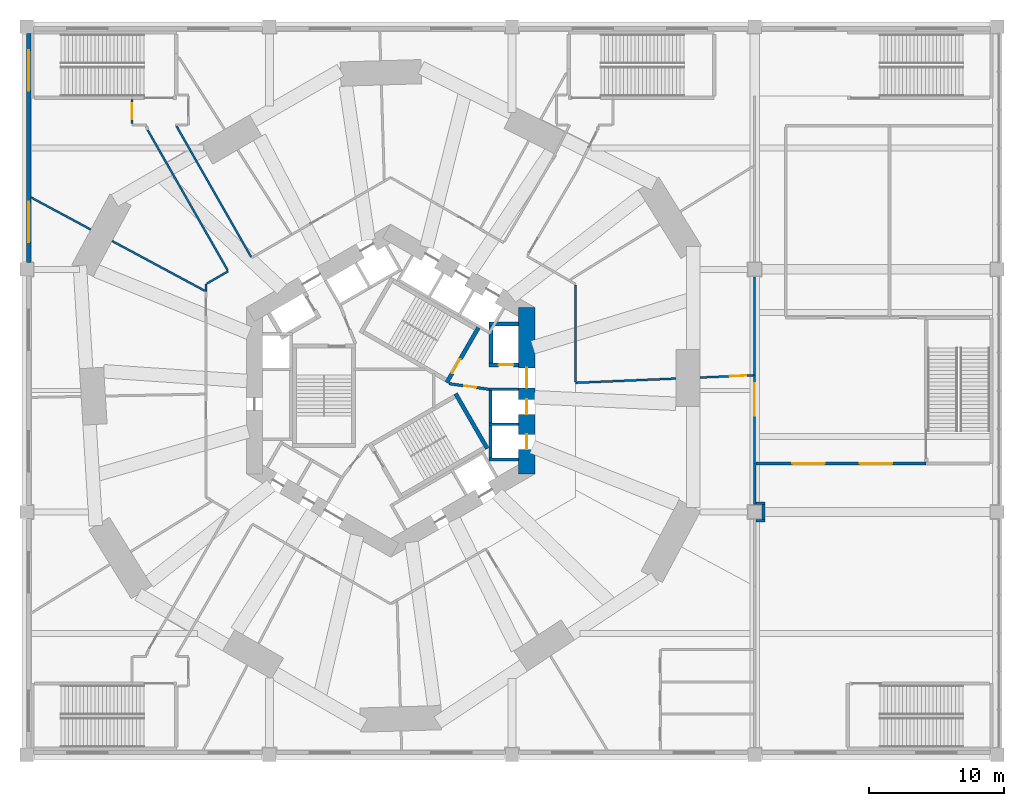
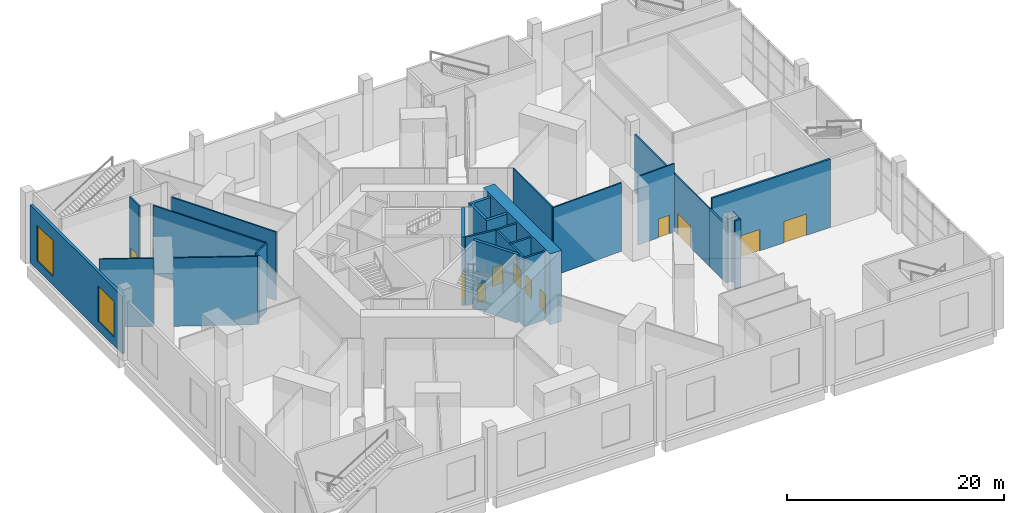
# One storey, part 8 of 15: 29 walls, 11 doors, 2 windows, 13 openings.
"""IFC4 building model written with IfcOpenShell, lengths in metres."""

from ifc_helpers import new_model, si_unit, direction, frame, frame_2d, origin, place, context, subcontext, project, spatial, rectangle, extrude, material, layer, layer_set, type_object, element, fill, save


model = new_model("IFC4")

# Units and contexts
model_context = context("Model", 3, precision=1e-05, world=origin(), true_north=direction((0.0, 1.0)))
body_context = subcontext(model_context, "Body", "Model", "MODEL_VIEW")
ifc_project = project(units=[si_unit("LENGTHUNIT", "METRE"), si_unit("AREAUNIT", "SQUARE_METRE"), si_unit("VOLUMEUNIT", "CUBIC_METRE"), si_unit("PLANEANGLEUNIT", "RADIAN"), si_unit("MASSUNIT", "GRAM", prefix="KILO")], contexts=[model_context])

# Site, building, storey
site_placement = place(None, origin())
site = spatial("IfcSite", under=ifc_project, at=site_placement, CompositionType="ELEMENT")
building_placement = place(site_placement, origin())
building = spatial("IfcBuilding", under=site, at=building_placement, Name="Vanh Sen Convention Tower", CompositionType="ELEMENT")
storey_placement = place(building_placement, frame((0.0, 0.0, 13.0)))
storey = spatial("IfcBuildingStorey", under=building, at=storey_placement, Name="L02", CompositionType="ELEMENT", Elevation=13.0)

# Wall, openings, doors
ifc_material_1 = material(Name="Concrete C80/95", Category="concrete")
ifc_layer_1 = layer(ifc_material_1, 1.199951171875)
ifc_layer_set_1 = layer_set([ifc_layer_1], Name="Concrete C80/95")
wall_type_1 = type_object("IfcWallType", Name="Core outer wall 1200 C80/95", PredefinedType="SHEAR", material=ifc_layer_set_1)
wall_1_placement = place(storey_placement, frame((10.10009765625, -6.177490234375, 0.0), z_axis=(0.0, 0.0, 1.0), x_axis=(0.0, 1.0, 0.0)))
wall_1 = element("IfcWall", 1, at=wall_1_placement, inside=storey, type_object=wall_type_1, Name="Core wall face E L02", PredefinedType="SHEAR", context=body_context, shape_type="SweptSolid", body=[
    extrude(rectangle(XDim=12.35498046875, YDim=1.199951171875, at=frame_2d((6.177490234375, 0.0))), origin(), (0.0, 0.0, 1.0), 8.0),
])
opening_1_placement = place(wall_1_placement, frame((6.377685546875, 0.0, 0.0)))
opening_1 = element("IfcOpeningElement", 2, at=opening_1_placement, cuts=wall_1, Name="Opening D02001", PredefinedType="OPENING", context=body_context, shape_type="SweptSolid", body=[
    extrude(rectangle(XDim=1.5, YDim=2.10009765625, at=frame_2d((0.75, 1.050048828125))), frame((0.0, 0.60986328125, 0.0), z_axis=(0.0, -1.0, 0.0), x_axis=(1.0, 0.0, 0.0)), (0.0, 0.0, 1.0), 1.219970703125),
])
opening_2_placement = place(wall_1_placement, frame((1.82763671875, 0.0, 0.0)))
opening_2 = element("IfcOpeningElement", 3, at=opening_2_placement, cuts=wall_1, Name="Opening LD-LR1", PredefinedType="OPENING", context=body_context, shape_type="SweptSolid", body=[
    extrude(rectangle(XDim=1.10009765625, YDim=2.10009765625, at=frame_2d((0.550048828125, 1.050048828125))), frame((0.0, 0.60986328125, 0.0), z_axis=(0.0, -1.0, 0.0), x_axis=(1.0, 0.0, 0.0)), (0.0, 0.0, 1.0), 1.219970703125),
])
opening_3_placement = place(wall_1_placement, frame((4.427490234375, 0.0, 0.0)))
opening_3 = element("IfcOpeningElement", 4, at=opening_3_placement, cuts=wall_1, Name="Opening LD-LR2", PredefinedType="OPENING", context=body_context, shape_type="SweptSolid", body=[
    extrude(rectangle(XDim=1.10009765625, YDim=2.10009765625, at=frame_2d((0.550048828125, 1.050048828125))), frame((0.0, 0.60986328125, 0.0), z_axis=(0.0, -1.0, 0.0), x_axis=(1.0, 0.0, 0.0)), (0.0, 0.0, 1.0), 1.219970703125),
])
ifc_material_2 = material(Name="Stainless steel", Category="steel")
door_type_1 = type_object("IfcDoorType", Name="Lift landing door 1100", OperationType="DOUBLE_DOOR_SLIDING", PredefinedType="DOOR", material=ifc_material_2)
door_1_placement = place(opening_2_placement, origin())
door_1 = element("IfcDoor", 5, at=door_1_placement, inside=storey, type_object=door_type_1, Name="Lift LR1 landing door LD-LR1", OperationType="DOUBLE_DOOR_SLIDING", OverallHeight=2.10009765625, OverallWidth=1.10009765625, PredefinedType="DOOR", context=body_context, shape_type="SweptSolid", body=[
    extrude(rectangle(XDim=1.10009765625, YDim=2.10009765625, at=frame_2d((0.550048828125, 1.050048828125))), frame((0.0, 0.02490234375, 0.0), z_axis=(0.0, -1.0, 0.0), x_axis=(1.0, 0.0, 0.0)), (0.0, 0.0, 1.0), 0.050048828125),
])
fill(opening_2, door_1)
door_2_placement = place(opening_3_placement, origin())
door_2 = element("IfcDoor", 6, at=door_2_placement, inside=storey, type_object=door_type_1, Name="Lift LR2 landing door LD-LR2", OperationType="DOUBLE_DOOR_SLIDING", OverallHeight=2.10009765625, OverallWidth=1.10009765625, PredefinedType="DOOR", context=body_context, shape_type="SweptSolid", body=[
    extrude(rectangle(XDim=1.10009765625, YDim=2.10009765625, at=frame_2d((0.550048828125, 1.050048828125))), frame((0.0, 0.02490234375, 0.0), z_axis=(0.0, -1.0, 0.0), x_axis=(1.0, 0.0, 0.0)), (0.0, 0.0, 1.0), 0.050048828125),
])
fill(opening_3, door_2)
ifc_material_3 = material(Name="Steel S355", Category="steel")
door_type_2 = type_object("IfcDoorType", Name="Stair lobby door 1500", OperationType="DOUBLE_DOOR_SINGLE_SWING", PredefinedType="DOOR", material=ifc_material_3)
door_3_placement = place(opening_1_placement, origin())
door_3 = element("IfcDoor", 7, at=door_3_placement, inside=storey, type_object=door_type_2, Name="Stair lobby door D02001", OperationType="DOUBLE_DOOR_SINGLE_SWING", OverallHeight=2.10009765625, OverallWidth=1.5, PredefinedType="DOOR", context=body_context, shape_type="SweptSolid", body=[
    extrude(rectangle(XDim=1.5, YDim=2.10009765625, at=frame_2d((0.75, 1.050048828125))), frame((0.0, 0.02490234375, 0.0), z_axis=(0.0, -1.0, 0.0), x_axis=(1.0, 0.0, 0.0)), (0.0, 0.0, 1.0), 0.050048828125),
])
fill(opening_1, door_3)

# Wall, opening, door
ifc_material_4 = material(Name="Concrete C60/75", Category="concrete")
ifc_layer_2 = layer(ifc_material_4, 0.300048828125)
ifc_layer_set_2 = layer_set([ifc_layer_2], Name="Concrete C60/75")
wall_type_2 = type_object("IfcWallType", Name="Fire-fighting lift shaft wall 300", PredefinedType="SHEAR", material=ifc_layer_set_2)
wall_2_placement = place(storey_placement, frame((7.300048828125, 1.89990234375, 0.0), z_axis=(0.0, 0.0, 1.0), x_axis=(1.0, 0.0, 0.0)))
wall_2 = element("IfcWall", 8, at=wall_2_placement, inside=storey, type_object=wall_type_2, Name="Fire-fighting lift shaft wall L02", PredefinedType="SHEAR", context=body_context, shape_type="SweptSolid", body=[
    extrude(rectangle(XDim=2.199951171875, YDim=0.300048828125, at=frame_2d((1.10009765625, 0.0))), origin(), (0.0, 0.0, 1.0), 7.699951171875),
])
opening_4_placement = place(wall_2_placement, frame((0.699951171875, 0.0, 0.0)))
opening_4 = element("IfcOpeningElement", 9, at=opening_4_placement, cuts=wall_2, Name="Opening LD-FF1", PredefinedType="OPENING", context=body_context, shape_type="SweptSolid", body=[
    extrude(rectangle(XDim=1.10009765625, YDim=2.10009765625, at=frame_2d((0.550048828125, 1.050048828125))), frame((0.0, 0.159912109375, 0.0), z_axis=(0.0, -1.0, 0.0), x_axis=(1.0, 0.0, 0.0)), (0.0, 0.0, 1.0), 0.320068359375),
])
door_type_3 = type_object("IfcDoorType", Name="Fire-fighting lift landing door 1100", OperationType="DOUBLE_DOOR_SLIDING", PredefinedType="DOOR", material=ifc_material_2)
door_4_placement = place(opening_4_placement, origin())
door_4 = element("IfcDoor", 10, at=door_4_placement, inside=storey, type_object=door_type_3, Name="Lift FF1 landing door LD-FF1", OperationType="DOUBLE_DOOR_SLIDING", OverallHeight=2.10009765625, OverallWidth=1.10009765625, PredefinedType="DOOR", context=body_context, shape_type="SweptSolid", body=[
    extrude(rectangle(XDim=1.10009765625, YDim=2.10009765625, at=frame_2d((0.550048828125, 1.050048828125))), frame((0.0, 0.02490234375, 0.0), z_axis=(0.0, -1.0, 0.0), x_axis=(1.0, 0.0, 0.0)), (0.0, 0.0, 1.0), 0.050048828125),
])
fill(opening_4, door_4)

# Walls
wall_3_placement = place(storey_placement, frame((7.449951171875, 1.75, 0.0), z_axis=(0.0, 0.0, 1.0), x_axis=(0.0, 1.0, 0.0)))
element("IfcWall", 11, at=wall_3_placement, inside=storey, type_object=wall_type_2, Name="Fire-fighting lift shaft wall L02", PredefinedType="SHEAR", context=body_context, shape_type="SweptSolid", body=[
    extrude(rectangle(XDim=3.35009765625, YDim=0.300048828125, at=frame_2d((1.675048828125, 0.0))), origin(), (0.0, 0.0, 1.0), 7.699951171875),
])
wall_4_placement = place(storey_placement, frame((7.300048828125, 4.949951171875, 0.0), z_axis=(0.0, 0.0, 1.0), x_axis=(1.0, 0.0, 0.0)))
element("IfcWall", 12, at=wall_4_placement, inside=storey, type_object=wall_type_2, Name="Fire-fighting lift shaft wall L02", PredefinedType="SHEAR", context=body_context, shape_type="SweptSolid", body=[
    extrude(rectangle(XDim=2.199951171875, YDim=0.300048828125, at=frame_2d((1.10009765625, 0.0))), origin(), (0.0, 0.0, 1.0), 7.699951171875),
])
ifc_material_5 = material(Name="Concrete C40/50", Category="concrete")
ifc_layer_3 = layer(ifc_material_5, 0.199951171875)
ifc_layer_set_3 = layer_set([ifc_layer_3], Name="Concrete C40/50")
wall_type_3 = type_object("IfcWallType", Name="Lift shaft wall 200", PredefinedType="PARTITIONING", material=ifc_layer_set_3)
wall_5_placement = place(storey_placement, frame((7.39990234375, -5.199951171875, 0.0), z_axis=(0.0, 0.0, 1.0), x_axis=(0.0, 1.0, 0.0)))
element("IfcWall", 13, at=wall_5_placement, inside=storey, type_object=wall_type_3, Name="Lift shaft wall L02", PredefinedType="PARTITIONING", context=body_context, shape_type="SweptSolid", body=[
    extrude(rectangle(XDim=5.39990234375, YDim=0.199951171875, at=frame_2d((2.699951171875, 0.0))), origin(), (0.0, 0.0, 1.0), 7.699951171875),
])
for number, where, z_axis, x_axis, name in (
    (14, (7.300048828125, -5.10009765625, 0.0), (0.0, 0.0, 1.0), (1.0, 0.0, 0.0), "Lift shaft wall L02"),
    (15, (7.300048828125, -2.5, 0.0), (0.0, 0.0, 1.0), (1.0, 0.0, 0.0), "Lift shaft wall L02"),
    (16, (7.300048828125, 0.10009765625, 0.0), (0.0, 0.0, 1.0), (1.0, 0.0, 0.0), "Lift shaft wall L02"),
):
    element("IfcWall", number, at=place(storey_placement, frame(where, z_axis=z_axis, x_axis=x_axis)), inside=storey, type_object=wall_type_3, Name=name, PredefinedType="PARTITIONING", context=body_context, shape_type="SweptSolid", body=[
        extrude(rectangle(XDim=2.199951171875, YDim=0.199951171875, at=frame_2d((1.10009765625, 0.0))), origin(), (0.0, 0.0, 1.0), 7.699951171875),
    ])

# Wall, opening, door
ifc_material_6 = material(Name="Gypsum board on steel studs", Category="steel")
ifc_layer_4 = layer(ifc_material_6, 0.14990234375)
ifc_layer_set_4 = layer_set([ifc_layer_4], Name="Gypsum board on steel studs")
wall_type_4 = type_object("IfcWallType", Name="Partition 150", PredefinedType="PARTITIONING", material=ifc_layer_set_4)
wall_6_placement = place(storey_placement, frame((27.0, -5.39990234375, 0.0), z_axis=(0.0, 0.0, 1.0), x_axis=(0.0, 1.0, 0.0)))
wall_6 = element("IfcWall", 17, at=wall_6_placement, inside=storey, type_object=wall_type_4, Name="Partition L02-046", PredefinedType="PARTITIONING", context=body_context, shape_type="SweptSolid", body=[
    extrude(rectangle(XDim=6.54736328125, YDim=0.14990234375, at=frame_2d((3.273681640625, 0.0))), origin(), (0.0, 0.0, 1.0), 6.5),
])
opening_5_placement = place(wall_6_placement, frame((3.547607421875, 0.0, 0.0)))
opening_5 = element("IfcOpeningElement", 18, at=opening_5_placement, cuts=wall_6, Name="Opening D02111", PredefinedType="OPENING", context=body_context, shape_type="SweptSolid", body=[
    extrude(rectangle(XDim=2.39990234375, YDim=2.39990234375, at=frame_2d((1.199951171875, 1.199951171875))), frame((0.0, 0.0849609375, 0.0), z_axis=(0.0, -1.0, 0.0), x_axis=(1.0, 0.0, 0.0)), (0.0, 0.0, 1.0), 0.169921875),
])
ifc_material_7 = material(Name="Timber door in steel frame", Category="steel")
door_type_4 = type_object("IfcDoorType", Name="Double door 2400", OperationType="DOUBLE_DOOR_SINGLE_SWING", PredefinedType="DOOR", material=ifc_material_7)
door_5_placement = place(opening_5_placement, origin())
door_5 = element("IfcDoor", 19, at=door_5_placement, inside=storey, type_object=door_type_4, Name="Double door D02111", OperationType="DOUBLE_DOOR_SINGLE_SWING", OverallHeight=2.39990234375, OverallWidth=2.39990234375, PredefinedType="DOOR", context=body_context, shape_type="SweptSolid", body=[
    extrude(rectangle(XDim=2.39990234375, YDim=2.39990234375, at=frame_2d((1.199951171875, 1.199951171875))), frame((0.0, 0.02490234375, 0.0), z_axis=(0.0, -1.0, 0.0), x_axis=(1.0, 0.0, 0.0)), (0.0, 0.0, 1.0), 0.050048828125),
])
fill(opening_5, door_5)

# Wall
ifc_layer_5 = layer(ifc_material_6, 0.14990234375)
ifc_layer_set_5 = layer_set([ifc_layer_5], Name="Gypsum board on steel studs")
wall_type_5 = type_object("IfcWallType", Name="Partition 150 EI 60", PredefinedType="PARTITIONING", material=ifc_layer_set_5)
wall_7_placement = place(storey_placement, frame((21.14990234375, 0.899169921875, 0.0), z_axis=(0.0, 0.0, 1.0), x_axis=(-0.999097940345, -0.04246534585, 0.0)))
element("IfcWall", 20, at=wall_7_placement, inside=storey, type_object=wall_type_5, Name="Partition L02-053", PredefinedType="PARTITIONING", context=body_context, shape_type="SweptSolid", body=[
    extrude(rectangle(XDim=7.456787109375, YDim=0.14990234375, at=frame_2d((3.728515625, 0.0))), origin(), (0.0, 0.0, 1.0), 7.699951171875),
])

# Wall, opening, door
wall_8_placement = place(storey_placement, frame((22.949951171875, 0.9755859375, 0.0), z_axis=(0.0, 0.0, 1.0), x_axis=(0.99910105245, 0.042392062858, 0.0)))
wall_8 = element("IfcWall", 21, at=wall_8_placement, inside=storey, type_object=wall_type_5, Name="Partition L02-054", PredefinedType="PARTITIONING", context=body_context, shape_type="SweptSolid", body=[
    extrude(rectangle(XDim=3.973876953125, YDim=0.14990234375, at=frame_2d((1.98681640625, 0.0))), origin(), (0.0, 0.0, 1.0), 7.699951171875),
])
opening_6_placement = place(wall_8_placement, frame((2.2236328125, 0.0, 0.0)))
opening_6 = element("IfcOpeningElement", 22, at=opening_6_placement, cuts=wall_8, Name="Opening D02116", PredefinedType="OPENING", context=body_context, shape_type="SweptSolid", body=[
    extrude(rectangle(XDim=1.199951171875, YDim=2.10009765625, at=frame_2d((0.60009765625, 1.050048828125))), frame((0.0, 0.0849609375, 0.0), z_axis=(0.0, -1.0, 0.0), x_axis=(1.0, 0.0, 0.0)), (0.0, 0.0, 1.0), 0.169921875),
])
door_type_5 = type_object("IfcDoorType", Name="Room door 1200 EI 30", OperationType="SINGLE_SWING_LEFT", PredefinedType="DOOR", material=ifc_material_7)
door_6_placement = place(opening_6_placement, origin())
door_6 = element("IfcDoor", 23, at=door_6_placement, inside=storey, type_object=door_type_5, Name="Room door D02116", OperationType="SINGLE_SWING_LEFT", OverallHeight=2.10009765625, OverallWidth=1.199951171875, PredefinedType="DOOR", context=body_context, shape_type="SweptSolid", body=[
    extrude(rectangle(XDim=1.199951171875, YDim=2.10009765625, at=frame_2d((0.60009765625, 1.050048828125))), frame((0.0, 0.02490234375, 0.0), z_axis=(0.0, -1.0, 0.0), x_axis=(1.0, 0.0, 0.0)), (0.0, 0.0, 1.0), 0.050048828125),
])
fill(opening_6, door_6)

# Walls
wall_9_placement = place(storey_placement, frame((27.0, 1.1474609375, 0.0), z_axis=(0.0, 0.0, 1.0), x_axis=(0.0, 1.0, 0.0)))
element("IfcWall", 24, at=wall_9_placement, inside=storey, type_object=wall_type_5, Name="Partition L02-055", PredefinedType="PARTITIONING", context=body_context, shape_type="SweptSolid", body=[
    extrude(rectangle(XDim=7.302490234375, YDim=0.14990234375, at=frame_2d((3.6513671875, 0.0))), origin(), (0.0, 0.0, 1.0), 6.5),
])
wall_10_placement = place(storey_placement, frame((-13.699951171875, 7.361572265625, 0.0), z_axis=(0.0, 0.0, 1.0), x_axis=(0.0, 1.0, 0.0)))
element("IfcWall", 25, at=wall_10_placement, inside=storey, type_object=wall_type_5, Name="Partition L02-059", PredefinedType="PARTITIONING", context=body_context, shape_type="SweptSolid", body=[
    extrude(rectangle(XDim=0.5478515625, YDim=0.14990234375, at=frame_2d((0.27392578125, 0.0))), origin(), (0.0, 0.0, 1.0), 7.699951171875),
])
wall_11_placement = place(storey_placement, frame((-13.8056640625, 7.418212890625, 0.0), z_axis=(0.0, 0.0, 1.0), x_axis=(-0.880891557551, 0.473318142305, 0.0)))
element("IfcWall", 26, at=wall_11_placement, inside=storey, type_object=wall_type_5, Name="Partition L02-060", PredefinedType="PARTITIONING", context=body_context, shape_type="SweptSolid", body=[
    extrude(rectangle(XDim=7.787109375, YDim=0.14990234375, at=frame_2d((3.8935546875, 0.0))), origin(), (0.0, 0.0, 1.0), 7.699951171875),
])
wall_12_placement = place(storey_placement, frame((13.699951171875, 7.849609375, 0.0), z_axis=(0.0, 0.0, 1.0), x_axis=(0.0, -1.0, 0.0)))
element("IfcWall", 27, at=wall_12_placement, inside=storey, type_object=wall_type_5, Name="Partition L02-061", PredefinedType="PARTITIONING", context=body_context, shape_type="SweptSolid", body=[
    extrude(rectangle(XDim=7.18701171875, YDim=0.14990234375, at=frame_2d((3.593505859375, 0.0))), origin(), (0.0, 0.0, 1.0), 7.699951171875),
])
wall_13_placement = place(storey_placement, frame((-13.64794921875, 7.939453125, 0.0), z_axis=(0.0, 0.0, 1.0), x_axis=(0.866024486176, 0.500001589341, 0.0)))
element("IfcWall", 28, at=wall_13_placement, inside=storey, type_object=wall_type_5, Name="Partition L02-063", PredefinedType="PARTITIONING", context=body_context, shape_type="SweptSolid", body=[
    extrude(rectangle(XDim=1.84228515625, YDim=0.14990234375, at=frame_2d((0.921142578125, 0.0))), origin(), (0.0, 0.0, 1.0), 7.699951171875),
])
wall_14_placement = place(storey_placement, frame((-12.092041015625, 8.929931640625, 0.0), z_axis=(0.0, 0.0, 1.0), x_axis=(-0.495564220718, 0.868571299977, 0.0)))
element("IfcWall", 29, at=wall_14_placement, inside=storey, type_object=wall_type_5, Name="Partition L02-064", PredefinedType="PARTITIONING", context=body_context, shape_type="SweptSolid", body=[
    extrude(rectangle(XDim=11.98828125, YDim=0.14990234375, at=frame_2d((5.994140625, 0.0))), origin(), (0.0, 0.0, 1.0), 7.699951171875),
])
wall_15_placement = place(storey_placement, frame((-22.2509765625, 11.9560546875, 0.0), z_axis=(0.0, 0.0, 1.0), x_axis=(-0.880902248523, 0.473298244817, 0.0)))
element("IfcWall", 30, at=wall_15_placement, inside=storey, type_object=wall_type_5, Name="Partition L02-074", PredefinedType="PARTITIONING", context=body_context, shape_type="SweptSolid", body=[
    extrude(rectangle(XDim=5.050537109375, YDim=0.14990234375, at=frame_2d((2.525390625, 0.0))), origin(), (0.0, 0.0, 1.0), 7.699951171875),
])
wall_16_placement = place(storey_placement, frame((-15.888916015625, 19.620849609375, 0.0), z_axis=(0.0, 0.0, 1.0), x_axis=(0.495540263005, -0.868584968636, 0.0)))
element("IfcWall", 31, at=wall_16_placement, inside=storey, type_object=wall_type_5, Name="Partition L02-095", PredefinedType="PARTITIONING", context=body_context, shape_type="SweptSolid", body=[
    extrude(rectangle(XDim=11.1572265625, YDim=0.14990234375, at=frame_2d((5.57861328125, 0.0))), origin(), (0.0, 0.0, 1.0), 7.699951171875),
])

# Wall, opening, door
wall_17_placement = place(storey_placement, frame((-19.199951171875, 19.804931640625, 0.0), z_axis=(0.0, 0.0, 1.0), x_axis=(0.0, 1.0, 0.0)))
wall_17 = element("IfcWall", 32, at=wall_17_placement, inside=storey, type_object=wall_type_5, Name="Partition L02-102", PredefinedType="PARTITIONING", context=body_context, shape_type="SweptSolid", body=[
    extrude(rectangle(XDim=1.780029296875, YDim=0.14990234375, at=frame_2d((0.89013671875, 0.0))), origin(), (0.0, 0.0, 1.0), 7.699951171875),
])
opening_7_placement = place(wall_17_placement, frame((0.330078125, 0.0, 0.0)))
opening_7 = element("IfcOpeningElement", 33, at=opening_7_placement, cuts=wall_17, Name="Opening D02123", PredefinedType="OPENING", context=body_context, shape_type="SweptSolid", body=[
    extrude(rectangle(XDim=1.199951171875, YDim=2.10009765625, at=frame_2d((0.60009765625, 1.050048828125))), frame((0.0, 0.0849609375, 0.0), z_axis=(0.0, -1.0, 0.0), x_axis=(1.0, 0.0, 0.0)), (0.0, 0.0, 1.0), 0.169921875),
])
door_7_placement = place(opening_7_placement, origin())
door_7 = element("IfcDoor", 34, at=door_7_placement, inside=storey, type_object=door_type_5, Name="Room door D02123", OperationType="SINGLE_SWING_LEFT", OverallHeight=2.10009765625, OverallWidth=1.199951171875, PredefinedType="DOOR", context=body_context, shape_type="SweptSolid", body=[
    extrude(rectangle(XDim=1.199951171875, YDim=2.10009765625, at=frame_2d((0.60009765625, 1.050048828125))), frame((0.0, 0.02490234375, 0.0), z_axis=(0.0, -1.0, 0.0), x_axis=(1.0, 0.0, 0.0)), (0.0, 0.0, 1.0), 0.050048828125),
])
fill(opening_7, door_7)

# Walls
ifc_material_8 = material(Name="Concrete C20/25", Category="concrete")
ifc_layer_6 = layer(ifc_material_8, 0.199951171875)
ifc_layer_set_6 = layer_set([ifc_layer_6], Name="Concrete C20/25")
wall_type_6 = type_object("IfcWallType", Name="Partition 200 EI 120", PredefinedType="PARTITIONING", material=ifc_layer_set_6)
wall_18_placement = place(storey_placement, frame((27.10009765625, -9.64990234375, 0.0), z_axis=(0.0, 0.0, 1.0), x_axis=(1.0, 0.0, 0.0)))
element("IfcWall", 35, at=wall_18_placement, inside=storey, type_object=wall_type_6, Name="Partition L02-039", PredefinedType="PARTITIONING", context=body_context, shape_type="SweptSolid", body=[
    extrude(rectangle(XDim=0.65185546875, YDim=0.199951171875, at=frame_2d((0.325927734375, 0.0))), origin(), (0.0, 0.0, 1.0), 7.699951171875),
])
wall_19_placement = place(storey_placement, frame((27.652099609375, -9.550048828125, 0.0), z_axis=(0.0, 0.0, 1.0), x_axis=(0.0, 1.0, 0.0)))
element("IfcWall", 36, at=wall_19_placement, inside=storey, type_object=wall_type_6, Name="Partition L02-040", PredefinedType="PARTITIONING", context=body_context, shape_type="SweptSolid", body=[
    extrude(rectangle(XDim=1.10009765625, YDim=0.199951171875, at=frame_2d((0.550048828125, 0.0))), origin(), (0.0, 0.0, 1.0), 7.699951171875),
])
wall_20_placement = place(storey_placement, frame((27.0, -8.449951171875, 0.0), z_axis=(0.0, 0.0, 1.0), x_axis=(0.0, 1.0, 0.0)))
element("IfcWall", 37, at=wall_20_placement, inside=storey, type_object=wall_type_6, Name="Partition L02-042", PredefinedType="PARTITIONING", context=body_context, shape_type="SweptSolid", body=[
    extrude(rectangle(XDim=3.050048828125, YDim=0.199951171875, at=frame_2d((1.52490234375, 0.0))), origin(), (0.0, 0.0, 1.0), 6.5),
])
wall_21_placement = place(storey_placement, frame((27.10009765625, -8.35009765625, 0.0), z_axis=(0.0, 0.0, 1.0), x_axis=(1.0, 0.0, 0.0)))
element("IfcWall", 38, at=wall_21_placement, inside=storey, type_object=wall_type_6, Name="Partition L02-043", PredefinedType="PARTITIONING", context=body_context, shape_type="SweptSolid", body=[
    extrude(rectangle(XDim=0.65185546875, YDim=0.199951171875, at=frame_2d((0.325927734375, 0.0))), origin(), (0.0, 0.0, 1.0), 7.699951171875),
])

# Wall, openings, doors
wall_22_placement = place(storey_placement, frame((27.10009765625, -5.39990234375, 0.0), z_axis=(0.0, 0.0, 1.0), x_axis=(1.0, 0.0, 0.0)))
wall_22 = element("IfcWall", 39, at=wall_22_placement, inside=storey, type_object=wall_type_6, Name="Partition L02-047", PredefinedType="PARTITIONING", context=body_context, shape_type="SweptSolid", body=[
    extrude(rectangle(XDim=12.625, YDim=0.199951171875, at=frame_2d((6.3125, 0.0))), origin(), (0.0, 0.0, 1.0), 7.699951171875),
])
opening_8_placement = place(wall_22_placement, frame((2.699951171875, 0.0, 0.0)))
opening_8 = element("IfcOpeningElement", 40, at=opening_8_placement, cuts=wall_22, Name="Opening D02112", PredefinedType="OPENING", context=body_context, shape_type="SweptSolid", body=[
    extrude(rectangle(XDim=2.39990234375, YDim=2.39990234375, at=frame_2d((1.199951171875, 1.199951171875))), frame((0.0, 0.10986328125, 0.0), z_axis=(0.0, -1.0, 0.0), x_axis=(1.0, 0.0, 0.0)), (0.0, 0.0, 1.0), 0.219970703125),
])
opening_9_placement = place(wall_22_placement, frame((7.699951171875, 0.0, 0.0)))
opening_9 = element("IfcOpeningElement", 41, at=opening_9_placement, cuts=wall_22, Name="Opening D02113", PredefinedType="OPENING", context=body_context, shape_type="SweptSolid", body=[
    extrude(rectangle(XDim=2.39990234375, YDim=2.39990234375, at=frame_2d((1.199951171875, 1.199951171875))), frame((0.0, 0.10986328125, 0.0), z_axis=(0.0, -1.0, 0.0), x_axis=(1.0, 0.0, 0.0)), (0.0, 0.0, 1.0), 0.219970703125),
])
door_type_6 = type_object("IfcDoorType", Name="Double door 2400 EI 60", OperationType="DOUBLE_DOOR_SINGLE_SWING", PredefinedType="DOOR", material=ifc_material_7)
door_8_placement = place(opening_8_placement, origin())
door_8 = element("IfcDoor", 42, at=door_8_placement, inside=storey, type_object=door_type_6, Name="Double door D02112", OperationType="DOUBLE_DOOR_SINGLE_SWING", OverallHeight=2.39990234375, OverallWidth=2.39990234375, PredefinedType="DOOR", context=body_context, shape_type="SweptSolid", body=[
    extrude(rectangle(XDim=2.39990234375, YDim=2.39990234375, at=frame_2d((1.199951171875, 1.199951171875))), frame((0.0, 0.02490234375, 0.0), z_axis=(0.0, -1.0, 0.0), x_axis=(1.0, 0.0, 0.0)), (0.0, 0.0, 1.0), 0.050048828125),
])
fill(opening_8, door_8)
door_9_placement = place(opening_9_placement, origin())
door_9 = element("IfcDoor", 43, at=door_9_placement, inside=storey, type_object=door_type_6, Name="Double door D02113", OperationType="DOUBLE_DOOR_SINGLE_SWING", OverallHeight=2.39990234375, OverallWidth=2.39990234375, PredefinedType="DOOR", context=body_context, shape_type="SweptSolid", body=[
    extrude(rectangle(XDim=2.39990234375, YDim=2.39990234375, at=frame_2d((1.199951171875, 1.199951171875))), frame((0.0, 0.02490234375, 0.0), z_axis=(0.0, -1.0, 0.0), x_axis=(1.0, 0.0, 0.0)), (0.0, 0.0, 1.0), 0.050048828125),
])
fill(opening_9, door_9)

# Wall, openings, windows
ifc_material_9 = material(Name="Concrete C50/60", Category="concrete")
ifc_layer_7 = layer(ifc_material_9, 0.300048828125)
ifc_layer_set_7 = layer_set([ifc_layer_7], Name="Concrete C50/60")
wall_type_7 = type_object("IfcWallType", Name="Podium wall 300", PredefinedType="STANDARD", material=ifc_layer_set_7)
wall_23_placement = place(storey_placement, frame((-26.85009765625, 26.5, 0.0), z_axis=(0.0, 0.0, 1.0), x_axis=(0.0, -1.0, 0.0)))
wall_23 = element("IfcWall", 44, at=wall_23_placement, inside=storey, type_object=wall_type_7, Name="Podium wall W1 L02", PredefinedType="STANDARD", context=body_context, shape_type="SweptSolid", body=[
    extrude(rectangle(XDim=17.0, YDim=0.300048828125, at=frame_2d((8.5, 0.0))), origin(), (0.0, 0.0, 1.0), 6.5),
])
opening_10_placement = place(wall_23_placement, frame((1.25, 0.0, 1.0)))
opening_10 = element("IfcOpeningElement", 45, at=opening_10_placement, cuts=wall_23, Name="Opening WP3-W1", PredefinedType="OPENING", context=body_context, shape_type="SweptSolid", body=[
    extrude(rectangle(XDim=3.0, YDim=4.0, at=frame_2d((1.5, 2.0))), frame((0.0, 0.159912109375, 0.0), z_axis=(0.0, -1.0, 0.0), x_axis=(1.0, 0.0, 0.0)), (0.0, 0.0, 1.0), 0.320068359375),
])
opening_11_placement = place(wall_23_placement, frame((12.5, 0.0, 1.0)))
opening_11 = element("IfcOpeningElement", 46, at=opening_11_placement, cuts=wall_23, Name="Opening WP3-W2", PredefinedType="OPENING", context=body_context, shape_type="SweptSolid", body=[
    extrude(rectangle(XDim=3.0, YDim=4.0, at=frame_2d((1.5, 2.0))), frame((0.0, 0.159912109375, 0.0), z_axis=(0.0, -1.0, 0.0), x_axis=(1.0, 0.0, 0.0)), (0.0, 0.0, 1.0), 0.320068359375),
])
ifc_material_10 = material(Name="Aluminium frame with clear low-emissivity glass", Category="aluminium")
window_type = type_object("IfcWindowType", Name="Podium window 3000 x 4000", PartitioningType="SINGLE_PANEL", PredefinedType="WINDOW", material=ifc_material_10)
window_1_placement = place(opening_10_placement, origin())
window_1 = element("IfcWindow", 47, at=window_1_placement, inside=storey, type_object=window_type, Name="Window WP3-W1", OverallHeight=4.0, OverallWidth=3.0, PartitioningType="SINGLE_PANEL", PredefinedType="WINDOW", context=body_context, shape_type="SweptSolid", body=[
    extrude(rectangle(XDim=3.0, YDim=4.0, at=frame_2d((1.5, 2.0))), frame((0.0, 0.030029296875, 0.0), z_axis=(0.0, -1.0, 0.0), x_axis=(1.0, 0.0, 0.0)), (0.0, 0.0, 1.0), 0.06005859375),
])
fill(opening_10, window_1)
window_2_placement = place(opening_11_placement, origin())
window_2 = element("IfcWindow", 48, at=window_2_placement, inside=storey, type_object=window_type, Name="Window WP3-W2", OverallHeight=4.0, OverallWidth=3.0, PartitioningType="SINGLE_PANEL", PredefinedType="WINDOW", context=body_context, shape_type="SweptSolid", body=[
    extrude(rectangle(XDim=3.0, YDim=4.0, at=frame_2d((1.5, 2.0))), frame((0.0, 0.030029296875, 0.0), z_axis=(0.0, -1.0, 0.0), x_axis=(1.0, 0.0, 0.0)), (0.0, 0.0, 1.0), 0.06005859375),
])
fill(opening_11, window_2)

# Wall, opening, door
ifc_layer_8 = layer(ifc_material_5, 0.199951171875)
ifc_layer_set_8 = layer_set([ifc_layer_8], Name="Concrete C40/50")
wall_type_8 = type_object("IfcWallType", Name="Stair lobby wall 200", PredefinedType="PARTITIONING", material=ifc_layer_set_8)
wall_24_placement = place(storey_placement, frame((4.327392578125, 0.52099609375, 0.0), z_axis=(0.0, 0.0, 1.0), x_axis=(0.990124376366, -0.14019172346, 0.0)))
wall_24 = element("IfcWall", 49, at=wall_24_placement, inside=storey, type_object=wall_type_8, Name="Stair lobby wall L02", PredefinedType="PARTITIONING", context=body_context, shape_type="SweptSolid", body=[
    extrude(rectangle(XDim=3.002197265625, YDim=0.199951171875, at=frame_2d((1.5009765625, 0.0))), origin(), (0.0, 0.0, 1.0), 7.699951171875),
])
opening_12_placement = place(wall_24_placement, frame((1.14990234375, 0.0, 0.0)))
opening_12 = element("IfcOpeningElement", 50, at=opening_12_placement, cuts=wall_24, Name="Opening D02007", PredefinedType="OPENING", context=body_context, shape_type="SweptSolid", body=[
    extrude(rectangle(XDim=0.89990234375, YDim=2.10009765625, at=frame_2d((0.449951171875, 1.050048828125))), frame((0.0, 0.10986328125, 0.0), z_axis=(0.0, -1.0, 0.0), x_axis=(1.0, 0.0, 0.0)), (0.0, 0.0, 1.0), 0.219970703125),
])
door_type_7 = type_object("IfcDoorType", Name="Plant door 900", OperationType="SINGLE_SWING_LEFT", PredefinedType="DOOR", material=ifc_material_3)
door_10_placement = place(opening_12_placement, origin())
door_10 = element("IfcDoor", 51, at=door_10_placement, inside=storey, type_object=door_type_7, Name="Plant door D02007", OperationType="SINGLE_SWING_LEFT", OverallHeight=2.10009765625, OverallWidth=0.89990234375, PredefinedType="DOOR", context=body_context, shape_type="SweptSolid", body=[
    extrude(rectangle(XDim=0.89990234375, YDim=2.10009765625, at=frame_2d((0.449951171875, 1.050048828125))), frame((0.0, 0.02490234375, 0.0), z_axis=(0.0, -1.0, 0.0), x_axis=(1.0, 0.0, 0.0)), (0.0, 0.0, 1.0), 0.050048828125),
])
fill(opening_12, door_10)

ifc_layer_9 = layer(ifc_material_4, 0.300048828125)
ifc_layer_set_9 = layer_set([ifc_layer_9], Name="Concrete C60/75")
wall_type_9 = type_object("IfcWallType", Name="Stair wall 300", PredefinedType="SHEAR", material=ifc_layer_set_9)
wall_25_placement = place(storey_placement, frame((4.157958984375, 0.601806640625, 0.0), z_axis=(0.0, 0.0, 1.0), x_axis=(0.499977259774, 0.866038532462, 0.0)))
wall_25 = element("IfcWall", 52, at=wall_25_placement, inside=storey, type_object=wall_type_9, Name="Stair wall L02", PredefinedType="SHEAR", context=body_context, shape_type="SweptSolid", body=[
    extrude(rectangle(XDim=4.699951171875, YDim=0.300048828125, at=frame_2d((2.35009765625, 0.0))), origin(), (0.0, 0.0, 1.0), 7.699951171875),
])
opening_13_placement = place(wall_25_placement, frame((0.800048828125, 0.0, 0.0)))
opening_13 = element("IfcOpeningElement", 53, at=opening_13_placement, cuts=wall_25, Name="Opening D02004", PredefinedType="OPENING", context=body_context, shape_type="SweptSolid", body=[
    extrude(rectangle(XDim=1.199951171875, YDim=2.10009765625, at=frame_2d((0.60009765625, 1.050048828125))), frame((0.0, 0.159912109375, 0.0), z_axis=(0.0, -1.0, 0.0), x_axis=(1.0, 0.0, 0.0)), (0.0, 0.0, 1.0), 0.320068359375),
])
door_type_8 = type_object("IfcDoorType", Name="Stair door 1200", OperationType="SINGLE_SWING_RIGHT", PredefinedType="DOOR", material=ifc_material_3)
door_11_placement = place(opening_13_placement, origin())
door_11 = element("IfcDoor", 54, at=door_11_placement, inside=storey, type_object=door_type_8, Name="Stair ST1 door D02004", OperationType="SINGLE_SWING_RIGHT", OverallHeight=2.10009765625, OverallWidth=1.199951171875, PredefinedType="DOOR", context=body_context, shape_type="SweptSolid", body=[
    extrude(rectangle(XDim=1.199951171875, YDim=2.10009765625, at=frame_2d((0.60009765625, 1.050048828125))), frame((0.0, 0.02490234375, 0.0), z_axis=(0.0, -1.0, 0.0), x_axis=(1.0, 0.0, 0.0)), (0.0, 0.0, 1.0), 0.050048828125),
])
fill(opening_13, door_11)

# Wall
wall_26_placement = place(storey_placement, frame((4.816162109375, -0.2216796875, 0.0), z_axis=(0.0, 0.0, 1.0), x_axis=(0.499977259774, -0.866038532462, 0.0)))
element("IfcWall", 55, at=wall_26_placement, inside=storey, type_object=wall_type_9, Name="Stair wall L02", PredefinedType="SHEAR", context=body_context, shape_type="SweptSolid", body=[
    extrude(rectangle(XDim=4.699951171875, YDim=0.300048828125, at=frame_2d((2.35009765625, 0.0))), origin(), (0.0, 0.0, 1.0), 7.699951171875),
])

save(model, "model.ifc")
